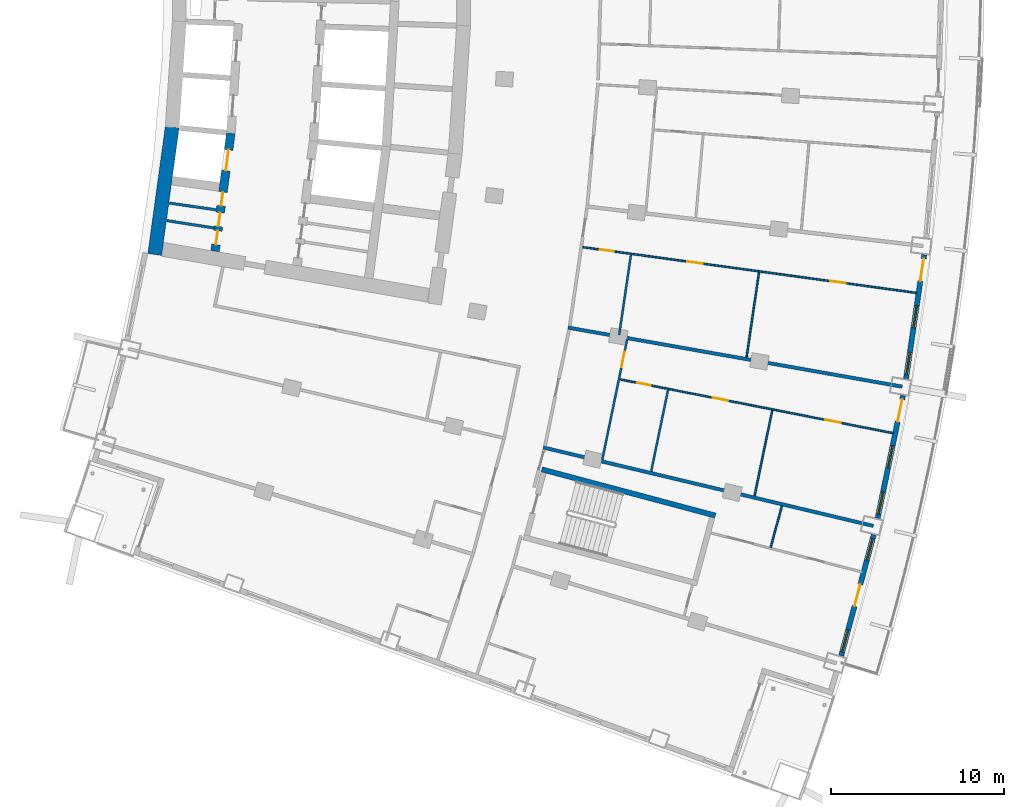
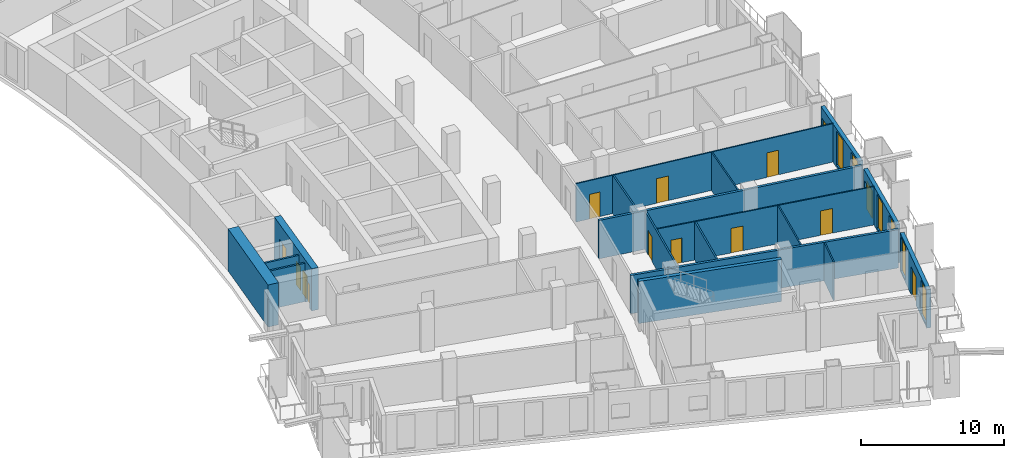
# One storey, part 15 of 25: 18 walls, 14 doors, 6 windows, 20 openings.
"""IFC4 building model written with IfcOpenShell, lengths in metres."""

from ifc_helpers import new_model, si_unit, direction, frame, frame_2d, origin, place, context, subcontext, project, spatial, rectangle, extrude, material, layer, layer_set, type_object, element, fill, save


model = new_model("IFC4")

# Units and contexts
model_context = context("Model", 3, precision=1e-05, world=origin(), true_north=direction((0.0, 1.0)))
body_context = subcontext(model_context, "Body", "Model", "MODEL_VIEW")
ifc_project = project(units=[si_unit("LENGTHUNIT", "METRE"), si_unit("AREAUNIT", "SQUARE_METRE"), si_unit("VOLUMEUNIT", "CUBIC_METRE"), si_unit("PLANEANGLEUNIT", "RADIAN"), si_unit("MASSUNIT", "GRAM", prefix="KILO")], contexts=[model_context])

# Site, building, storey
site_placement = place(None, origin())
site = spatial("IfcSite", under=ifc_project, at=site_placement, CompositionType="ELEMENT")
building_placement = place(site_placement, origin())
building = spatial("IfcBuilding", under=site, at=building_placement, Name="Alderwake Tower", CompositionType="ELEMENT")
storey_placement = place(building_placement, frame((0.0, 0.0, 122.0)))
storey = spatial("IfcBuildingStorey", under=building, at=storey_placement, Name="L30", CompositionType="ELEMENT", Elevation=122.0)

# Walls
ifc_material_1 = material(Name="Gypsum shaft wall system, rated")
ifc_layer_1 = layer(ifc_material_1, 0.14990234375)
ifc_layer_set_1 = layer_set([ifc_layer_1], Name="Core room partition 150")
wall_type_1 = type_object("IfcWallType", Name="Core room partition 150", PredefinedType="PARTITIONING", material=ifc_layer_set_1)
wall_1_placement = place(storey_placement, frame((16.122802734375, 46.082763671875, 0.0), z_axis=(0.0, 0.0, 1.0), x_axis=(0.988174136122, -0.153335829796, 0.0)))
element("IfcWall", 1, at=wall_1_placement, inside=storey, type_object=wall_type_1, Name="CW/L30/PR-161_+0", PredefinedType="PARTITIONING", context=body_context, shape_type="SweptSolid", body=[
    extrude(rectangle(XDim=2.740234375, YDim=0.14990234375, at=frame_2d((1.3701171875, 0.0))), origin(), (0.0, 0.0, 1.0), 3.280029296875),
])
wall_2_placement = place(storey_placement, frame((16.262451171875, 47.096435546875, 0.0), z_axis=(0.0, 0.0, 1.0), x_axis=(0.989725129284, -0.14298310552, 0.0)))
element("IfcWall", 2, at=wall_2_placement, inside=storey, type_object=wall_type_1, Name="CW/L30/PR-150_+0", PredefinedType="PARTITIONING", context=body_context, shape_type="SweptSolid", body=[
    extrude(rectangle(XDim=2.7353515625, YDim=0.14990234375, at=frame_2d((1.36767578125, 0.0))), origin(), (0.0, 0.0, 1.0), 3.280029296875),
])
ifc_material_2 = material(Name="Concrete C70/85", Category="concrete")
ifc_layer_2 = layer(ifc_material_2, 0.800048828125)
ifc_layer_set_2 = layer_set([ifc_layer_2], Name="Core wall outer 800 C70-85")
wall_type_2 = type_object("IfcWallType", Name="Core wall outer 800 C70-85", PredefinedType="SHEAR", material=ifc_layer_set_2)
wall_3_placement = place(storey_placement, frame((15.419921875, 44.12890625, 0.0), z_axis=(0.0, 0.0, 1.0), x_axis=(0.13634256868, 0.990661750531, 0.0)))
element("IfcWall", 3, at=wall_3_placement, inside=storey, type_object=wall_type_2, Name="Core wall CW.042", PredefinedType="SHEAR", context=body_context, shape_type="SweptSolid", body=[
    extrude(rectangle(XDim=7.42578125, YDim=0.800048828125, at=frame_2d((3.712890625, 0.0))), origin(), (0.0, 0.0, 1.0), 3.60009765625),
])

# Wall, openings, doors
ifc_material_3 = material(Name="Concrete C70/85", Category="concrete")
ifc_layer_3 = layer(ifc_material_3, 0.5)
ifc_layer_set_3 = layer_set([ifc_layer_3], Name="Core wall spine 500 C70-85")
wall_type_3 = type_object("IfcWallType", Name="Core wall spine 500 C70-85", PredefinedType="SHEAR", material=ifc_layer_set_3)
wall_4_placement = place(storey_placement, frame((19.81494140625, 51.145263671875, 0.0), z_axis=(0.0, 0.0, 1.0), x_axis=(-0.132349652161, -0.991203091991, 0.0)))
wall_4 = element("IfcWall", 4, at=wall_4_placement, inside=storey, type_object=wall_type_3, Name="Core wall CW.033", PredefinedType="SHEAR", context=body_context, shape_type="SweptSolid", body=[
    extrude(rectangle(XDim=6.880615234375, YDim=0.5, at=frame_2d((3.4404296875, 0.0))), origin(), (0.0, 0.0, 1.0), 3.60009765625),
])
opening_1_placement = place(wall_4_placement, frame((0.99072265625, 0.0, 0.0)))
opening_1 = element("IfcOpeningElement", 5, at=opening_1_placement, cuts=wall_4, Name="Opening LD-LP1", PredefinedType="OPENING", context=body_context, shape_type="SweptSolid", body=[
    extrude(rectangle(XDim=1.199951171875, YDim=2.300048828125, at=frame_2d((0.60009765625, 1.14990234375))), frame((0.0, 0.260009765625, 0.0), z_axis=(0.0, -1.0, 0.0), x_axis=(1.0, 0.0, 0.0)), (0.0, 0.0, 1.0), 0.52001953125),
])
opening_2_placement = place(wall_4_placement, frame((5.698486328125, 0.0, 0.0)))
opening_2 = element("IfcOpeningElement", 6, at=opening_2_placement, cuts=wall_4, Name="Opening C009", PredefinedType="OPENING", context=body_context, shape_type="SweptSolid", body=[
    extrude(rectangle(XDim=0.800048828125, YDim=2.0, at=frame_2d((0.39990234375, 1.0))), frame((0.0, 0.260009765625, 0.0), z_axis=(0.0, -1.0, 0.0), x_axis=(1.0, 0.0, 0.0)), (0.0, 0.0, 1.0), 0.52001953125),
])
opening_3_placement = place(wall_4_placement, frame((4.6435546875, 0.0, 0.0)))
opening_3 = element("IfcOpeningElement", 7, at=opening_3_placement, cuts=wall_4, Name="Opening C011", PredefinedType="OPENING", context=body_context, shape_type="SweptSolid", body=[
    extrude(rectangle(XDim=0.800048828125, YDim=2.0, at=frame_2d((0.39990234375, 1.0))), frame((0.0, 0.260009765625, 0.0), z_axis=(0.0, -1.0, 0.0), x_axis=(1.0, 0.0, 0.0)), (0.0, 0.0, 1.0), 0.52001953125),
])
opening_4_placement = place(wall_4_placement, frame((3.444580078125, 0.0, 0.0)))
opening_4 = element("IfcOpeningElement", 8, at=opening_4_placement, cuts=wall_4, Name="Opening C012", PredefinedType="OPENING", context=body_context, shape_type="SweptSolid", body=[
    extrude(rectangle(XDim=0.800048828125, YDim=2.0, at=frame_2d((0.39990234375, 1.0))), frame((0.0, 0.260009765625, 0.0), z_axis=(0.0, -1.0, 0.0), x_axis=(1.0, 0.0, 0.0)), (0.0, 0.0, 1.0), 0.52001953125),
])
ifc_material_4 = material(Name="Stainless steel sliding leaf", Category="steel")
door_type_1 = type_object("IfcDoorType", Name="Lift landing door 1200", OperationType="SLIDING_TO_LEFT", PredefinedType="DOOR", material=ifc_material_4)
door_1_placement = place(opening_1_placement, origin())
door_1 = element("IfcDoor", 9, at=door_1_placement, inside=storey, type_object=door_type_1, Name="Lift landing door LP1", OperationType="SLIDING_TO_LEFT", OverallHeight=2.300048828125, OverallWidth=1.199951171875, PredefinedType="DOOR", context=body_context, shape_type="SweptSolid", body=[
    extrude(rectangle(XDim=1.199951171875, YDim=2.300048828125, at=frame_2d((0.60009765625, 1.14990234375))), frame((0.0, 0.02490234375, 0.0), z_axis=(0.0, -1.0, 0.0), x_axis=(1.0, 0.0, 0.0)), (0.0, 0.0, 1.0), 0.050048828125),
])
fill(opening_1, door_1)
ifc_material_5 = material(Name="Painted steel leaf, rated", Category="steel")
door_type_2 = type_object("IfcDoorType", Name="Riser access door 800", OperationType="SINGLE_SWING_LEFT", PredefinedType="DOOR", material=ifc_material_5)
door_2_placement = place(opening_2_placement, origin())
door_2 = element("IfcDoor", 10, at=door_2_placement, inside=storey, type_object=door_type_2, Name="Riser access door", OperationType="SINGLE_SWING_LEFT", OverallHeight=2.0, OverallWidth=0.800048828125, PredefinedType="DOOR", context=body_context, shape_type="SweptSolid", body=[
    extrude(rectangle(XDim=0.800048828125, YDim=2.0, at=frame_2d((0.39990234375, 1.0))), frame((0.0, 0.02490234375, 0.0), z_axis=(0.0, -1.0, 0.0), x_axis=(1.0, 0.0, 0.0)), (0.0, 0.0, 1.0), 0.050048828125),
])
fill(opening_2, door_2)
door_3_placement = place(opening_3_placement, origin())
door_3 = element("IfcDoor", 11, at=door_3_placement, inside=storey, type_object=door_type_2, Name="Riser access door", OperationType="SINGLE_SWING_RIGHT", OverallHeight=2.0, OverallWidth=0.800048828125, PredefinedType="DOOR", context=body_context, shape_type="SweptSolid", body=[
    extrude(rectangle(XDim=0.800048828125, YDim=2.0, at=frame_2d((0.39990234375, 1.0))), frame((0.0, 0.02490234375, 0.0), z_axis=(0.0, -1.0, 0.0), x_axis=(1.0, 0.0, 0.0)), (0.0, 0.0, 1.0), 0.050048828125),
])
fill(opening_3, door_3)
door_4_placement = place(opening_4_placement, origin())
door_4 = element("IfcDoor", 12, at=door_4_placement, inside=storey, type_object=door_type_2, Name="Riser access door", OperationType="SINGLE_SWING_LEFT", OverallHeight=2.0, OverallWidth=0.800048828125, PredefinedType="DOOR", context=body_context, shape_type="SweptSolid", body=[
    extrude(rectangle(XDim=0.800048828125, YDim=2.0, at=frame_2d((0.39990234375, 1.0))), frame((0.0, 0.02490234375, 0.0), z_axis=(0.0, -1.0, 0.0), x_axis=(1.0, 0.0, 0.0)), (0.0, 0.0, 1.0), 0.050048828125),
])
fill(opening_4, door_4)

# Wall
ifc_material_6 = material(Name="Concrete C70/85", Category="concrete")
ifc_layer_4 = layer(ifc_material_6, 0.300048828125)
ifc_layer_set_4 = layer_set([ifc_layer_4], Name="Core wall stair enclosure 300 C70-85")
wall_type_4 = type_object("IfcWallType", Name="Core wall stair enclosure 300 C70-85", PredefinedType="SHEAR", material=ifc_layer_set_4)
wall_5_placement = place(storey_placement, frame((37.75390625, 31.731201171875, 0.0), z_axis=(0.0, 0.0, 1.0), x_axis=(0.966309214305, -0.257383958996, 0.0)))
element("IfcWall", 13, at=wall_5_placement, inside=storey, type_object=wall_type_4, Name="Core wall CW.086", PredefinedType="SHEAR", context=body_context, shape_type="SweptSolid", body=[
    extrude(rectangle(XDim=10.360107421875, YDim=0.300048828125, at=frame_2d((5.18017578125, 0.0))), origin(), (0.0, 0.0, 1.0), 3.60009765625),
])

# Wall, openings, door, windows
ifc_material_7 = material(Name="Precast concrete C50/60 spandrel panel", Category="concrete")
ifc_layer_5 = layer(ifc_material_7, 0.300048828125)
ifc_layer_set_5 = layer_set([ifc_layer_5], Name="External wall EW1 Precast concrete C50/60 spandrel")
wall_type_5 = type_object("IfcWallType", Name="External wall EW1 Precast concrete C50/60 spandrel", PredefinedType="SOLIDWALL", material=ifc_layer_set_5)
wall_6_placement = place(storey_placement, frame((55.03076171875, 20.98046875, 0.0), z_axis=(0.0, 0.0, 1.0), x_axis=(0.259514900315, 0.965739103751, 0.0)))
wall_6 = element("IfcWall", 14, at=wall_6_placement, inside=storey, type_object=wall_type_5, Name="External wall 12", PredefinedType="SOLIDWALL", context=body_context, shape_type="SweptSolid", body=[
    extrude(rectangle(XDim=7.217529296875, YDim=0.300048828125, at=frame_2d((3.60888671875, 0.0))), origin(), (0.0, 0.0, 1.0), 3.280029296875),
])
opening_5_placement = place(wall_6_placement, frame((0.22509765625, 0.0, 0.199951171875)))
opening_5 = element("IfcOpeningElement", 15, at=opening_5_placement, cuts=wall_6, Name="Opening W1", PredefinedType="OPENING", context=body_context, shape_type="SweptSolid", body=[
    extrude(rectangle(XDim=1.300048828125, YDim=2.89990234375, at=frame_2d((0.64990234375, 1.449951171875))), frame((0.0, 0.159912109375, 0.0), z_axis=(0.0, -1.0, 0.0), x_axis=(1.0, 0.0, 0.0)), (0.0, 0.0, 1.0), 0.320068359375),
])
opening_6_placement = place(wall_6_placement, frame((2.958740234375, 0.0, 0.0)))
opening_6 = element("IfcOpeningElement", 16, at=opening_6_placement, cuts=wall_6, Name="Opening D03", PredefinedType="OPENING", context=body_context, shape_type="SweptSolid", body=[
    extrude(rectangle(XDim=1.300048828125, YDim=2.39990234375, at=frame_2d((0.64990234375, 1.199951171875))), frame((0.0, 0.159912109375, 0.0), z_axis=(0.0, -1.0, 0.0), x_axis=(1.0, 0.0, 0.0)), (0.0, 0.0, 1.0), 0.320068359375),
])
opening_7_placement = place(wall_6_placement, frame((5.692138671875, 0.0, 0.199951171875)))
opening_7 = element("IfcOpeningElement", 17, at=opening_7_placement, cuts=wall_6, Name="Opening W1", PredefinedType="OPENING", context=body_context, shape_type="SweptSolid", body=[
    extrude(rectangle(XDim=1.300048828125, YDim=2.89990234375, at=frame_2d((0.64990234375, 1.449951171875))), frame((0.0, 0.159912109375, 0.0), z_axis=(0.0, -1.0, 0.0), x_axis=(1.0, 0.0, 0.0)), (0.0, 0.0, 1.0), 0.320068359375),
])
ifc_material_8 = material(Name="Bronze tinted glass in aluminium frame", Category="aluminium")
door_type_3 = type_object("IfcDoorType", Name="Balcony door BD sliding", OperationType="SLIDING_TO_LEFT", PredefinedType="DOOR", material=ifc_material_8)
door_5_placement = place(opening_6_placement, origin())
door_5 = element("IfcDoor", 18, at=door_5_placement, inside=storey, type_object=door_type_3, Name="Door D03", OperationType="SLIDING_TO_LEFT", OverallHeight=2.39990234375, OverallWidth=1.300048828125, PredefinedType="DOOR", context=body_context, shape_type="SweptSolid", body=[
    extrude(rectangle(XDim=1.300048828125, YDim=2.39990234375, at=frame_2d((0.64990234375, 1.199951171875))), frame((0.0, 0.02490234375, 0.0), z_axis=(0.0, -1.0, 0.0), x_axis=(1.0, 0.0, 0.0)), (0.0, 0.0, 1.0), 0.050048828125),
])
fill(opening_6, door_5)
ifc_material_9 = material(Name="Bronze tinted glass in aluminium frame", Category="aluminium")
window_type = type_object("IfcWindowType", Name="Window W1 tall fixed and vent", PartitioningType="DOUBLE_PANEL_VERTICAL", PredefinedType="WINDOW", material=ifc_material_9)
window_1_placement = place(opening_5_placement, origin())
window_1 = element("IfcWindow", 19, at=window_1_placement, inside=storey, type_object=window_type, Name="Window W1 tall fixed and vent", OverallHeight=2.89990234375, OverallWidth=1.300048828125, PartitioningType="DOUBLE_PANEL_VERTICAL", PredefinedType="WINDOW", context=body_context, shape_type="SweptSolid", body=[
    extrude(rectangle(XDim=1.300048828125, YDim=2.89990234375, at=frame_2d((0.64990234375, 1.449951171875))), frame((0.0, 0.030029296875, 0.0), z_axis=(0.0, -1.0, 0.0), x_axis=(1.0, 0.0, 0.0)), (0.0, 0.0, 1.0), 0.06005859375),
])
fill(opening_5, window_1)
window_2_placement = place(opening_7_placement, origin())
window_2 = element("IfcWindow", 20, at=window_2_placement, inside=storey, type_object=window_type, Name="Window W1 tall fixed and vent", OverallHeight=2.89990234375, OverallWidth=1.300048828125, PartitioningType="DOUBLE_PANEL_VERTICAL", PredefinedType="WINDOW", context=body_context, shape_type="SweptSolid", body=[
    extrude(rectangle(XDim=1.300048828125, YDim=2.89990234375, at=frame_2d((0.64990234375, 1.449951171875))), frame((0.0, 0.030029296875, 0.0), z_axis=(0.0, -1.0, 0.0), x_axis=(1.0, 0.0, 0.0)), (0.0, 0.0, 1.0), 0.06005859375),
])
fill(opening_7, window_2)

wall_7_placement = place(storey_placement, frame((57.13427734375, 28.9208984375, 0.0), z_axis=(0.0, 0.0, 1.0), x_axis=(0.202759964429, 0.979228470187, 0.0)))
wall_7 = element("IfcWall", 21, at=wall_7_placement, inside=storey, type_object=wall_type_5, Name="External wall 13", PredefinedType="SOLIDWALL", context=body_context, shape_type="SweptSolid", body=[
    extrude(rectangle(XDim=7.21728515625, YDim=0.300048828125, at=frame_2d((3.608642578125, 0.0))), origin(), (0.0, 0.0, 1.0), 3.280029296875),
])
opening_8_placement = place(wall_7_placement, frame((0.22509765625, 0.0, 0.199951171875)))
opening_8 = element("IfcOpeningElement", 22, at=opening_8_placement, cuts=wall_7, Name="Opening W1", PredefinedType="OPENING", context=body_context, shape_type="SweptSolid", body=[
    extrude(rectangle(XDim=1.300048828125, YDim=2.89990234375, at=frame_2d((0.64990234375, 1.449951171875))), frame((0.0, 0.159912109375, 0.0), z_axis=(0.0, -1.0, 0.0), x_axis=(1.0, 0.0, 0.0)), (0.0, 0.0, 1.0), 0.320068359375),
])
opening_9_placement = place(wall_7_placement, frame((2.958740234375, 0.0, 0.199951171875)))
opening_9 = element("IfcOpeningElement", 23, at=opening_9_placement, cuts=wall_7, Name="Opening W1", PredefinedType="OPENING", context=body_context, shape_type="SweptSolid", body=[
    extrude(rectangle(XDim=1.300048828125, YDim=2.89990234375, at=frame_2d((0.64990234375, 1.449951171875))), frame((0.0, 0.159912109375, 0.0), z_axis=(0.0, -1.0, 0.0), x_axis=(1.0, 0.0, 0.0)), (0.0, 0.0, 1.0), 0.320068359375),
])
opening_10_placement = place(wall_7_placement, frame((5.692138671875, 0.0, 0.0)))
opening_10 = element("IfcOpeningElement", 24, at=opening_10_placement, cuts=wall_7, Name="Opening D04", PredefinedType="OPENING", context=body_context, shape_type="SweptSolid", body=[
    extrude(rectangle(XDim=1.300048828125, YDim=2.39990234375, at=frame_2d((0.64990234375, 1.199951171875))), frame((0.0, 0.159912109375, 0.0), z_axis=(0.0, -1.0, 0.0), x_axis=(1.0, 0.0, 0.0)), (0.0, 0.0, 1.0), 0.320068359375),
])
door_6_placement = place(opening_10_placement, origin())
door_6 = element("IfcDoor", 25, at=door_6_placement, inside=storey, type_object=door_type_3, Name="Door D04", OperationType="SLIDING_TO_LEFT", OverallHeight=2.39990234375, OverallWidth=1.300048828125, PredefinedType="DOOR", context=body_context, shape_type="SweptSolid", body=[
    extrude(rectangle(XDim=1.300048828125, YDim=2.39990234375, at=frame_2d((0.64990234375, 1.199951171875))), frame((0.0, 0.02490234375, 0.0), z_axis=(0.0, -1.0, 0.0), x_axis=(1.0, 0.0, 0.0)), (0.0, 0.0, 1.0), 0.050048828125),
])
fill(opening_10, door_6)
window_3_placement = place(opening_8_placement, origin())
window_3 = element("IfcWindow", 26, at=window_3_placement, inside=storey, type_object=window_type, Name="Window W1 tall fixed and vent", OverallHeight=2.89990234375, OverallWidth=1.300048828125, PartitioningType="DOUBLE_PANEL_VERTICAL", PredefinedType="WINDOW", context=body_context, shape_type="SweptSolid", body=[
    extrude(rectangle(XDim=1.300048828125, YDim=2.89990234375, at=frame_2d((0.64990234375, 1.449951171875))), frame((0.0, 0.030029296875, 0.0), z_axis=(0.0, -1.0, 0.0), x_axis=(1.0, 0.0, 0.0)), (0.0, 0.0, 1.0), 0.06005859375),
])
fill(opening_8, window_3)
window_4_placement = place(opening_9_placement, origin())
window_4 = element("IfcWindow", 27, at=window_4_placement, inside=storey, type_object=window_type, Name="Window W1 tall fixed and vent", OverallHeight=2.89990234375, OverallWidth=1.300048828125, PartitioningType="DOUBLE_PANEL_VERTICAL", PredefinedType="WINDOW", context=body_context, shape_type="SweptSolid", body=[
    extrude(rectangle(XDim=1.300048828125, YDim=2.89990234375, at=frame_2d((0.64990234375, 1.449951171875))), frame((0.0, 0.030029296875, 0.0), z_axis=(0.0, -1.0, 0.0), x_axis=(1.0, 0.0, 0.0)), (0.0, 0.0, 1.0), 0.06005859375),
])
fill(opening_9, window_4)

wall_8_placement = place(storey_placement, frame((58.771240234375, 36.970458984375, 0.0), z_axis=(0.0, 0.0, 1.0), x_axis=(0.145322588421, 0.989384326384, 0.0)))
wall_8 = element("IfcWall", 28, at=wall_8_placement, inside=storey, type_object=wall_type_5, Name="External wall 14", PredefinedType="SOLIDWALL", context=body_context, shape_type="SweptSolid", body=[
    extrude(rectangle(XDim=7.21728515625, YDim=0.300048828125, at=frame_2d((3.608642578125, 0.0))), origin(), (0.0, 0.0, 1.0), 3.280029296875),
])
opening_11_placement = place(wall_8_placement, frame((0.22509765625, 0.0, 0.199951171875)))
opening_11 = element("IfcOpeningElement", 29, at=opening_11_placement, cuts=wall_8, Name="Opening W1", PredefinedType="OPENING", context=body_context, shape_type="SweptSolid", body=[
    extrude(rectangle(XDim=1.300048828125, YDim=2.89990234375, at=frame_2d((0.64990234375, 1.449951171875))), frame((0.0, 0.159912109375, 0.0), z_axis=(0.0, -1.0, 0.0), x_axis=(1.0, 0.0, 0.0)), (0.0, 0.0, 1.0), 0.320068359375),
])
opening_12_placement = place(wall_8_placement, frame((2.958740234375, 0.0, 0.199951171875)))
opening_12 = element("IfcOpeningElement", 30, at=opening_12_placement, cuts=wall_8, Name="Opening W1", PredefinedType="OPENING", context=body_context, shape_type="SweptSolid", body=[
    extrude(rectangle(XDim=1.300048828125, YDim=2.89990234375, at=frame_2d((0.64990234375, 1.449951171875))), frame((0.0, 0.159912109375, 0.0), z_axis=(0.0, -1.0, 0.0), x_axis=(1.0, 0.0, 0.0)), (0.0, 0.0, 1.0), 0.320068359375),
])
opening_13_placement = place(wall_8_placement, frame((5.692138671875, 0.0, 0.0)))
opening_13 = element("IfcOpeningElement", 31, at=opening_13_placement, cuts=wall_8, Name="Opening D05", PredefinedType="OPENING", context=body_context, shape_type="SweptSolid", body=[
    extrude(rectangle(XDim=1.300048828125, YDim=2.39990234375, at=frame_2d((0.64990234375, 1.199951171875))), frame((0.0, 0.159912109375, 0.0), z_axis=(0.0, -1.0, 0.0), x_axis=(1.0, 0.0, 0.0)), (0.0, 0.0, 1.0), 0.320068359375),
])
door_7_placement = place(opening_13_placement, origin())
door_7 = element("IfcDoor", 32, at=door_7_placement, inside=storey, type_object=door_type_3, Name="Door D05", OperationType="SLIDING_TO_LEFT", OverallHeight=2.39990234375, OverallWidth=1.300048828125, PredefinedType="DOOR", context=body_context, shape_type="SweptSolid", body=[
    extrude(rectangle(XDim=1.300048828125, YDim=2.39990234375, at=frame_2d((0.64990234375, 1.199951171875))), frame((0.0, 0.02490234375, 0.0), z_axis=(0.0, -1.0, 0.0), x_axis=(1.0, 0.0, 0.0)), (0.0, 0.0, 1.0), 0.050048828125),
])
fill(opening_13, door_7)
window_5_placement = place(opening_11_placement, origin())
window_5 = element("IfcWindow", 33, at=window_5_placement, inside=storey, type_object=window_type, Name="Window W1 tall fixed and vent", OverallHeight=2.89990234375, OverallWidth=1.300048828125, PartitioningType="DOUBLE_PANEL_VERTICAL", PredefinedType="WINDOW", context=body_context, shape_type="SweptSolid", body=[
    extrude(rectangle(XDim=1.300048828125, YDim=2.89990234375, at=frame_2d((0.64990234375, 1.449951171875))), frame((0.0, 0.030029296875, 0.0), z_axis=(0.0, -1.0, 0.0), x_axis=(1.0, 0.0, 0.0)), (0.0, 0.0, 1.0), 0.06005859375),
])
fill(opening_11, window_5)
window_6_placement = place(opening_12_placement, origin())
window_6 = element("IfcWindow", 34, at=window_6_placement, inside=storey, type_object=window_type, Name="Window W1 tall fixed and vent", OverallHeight=2.89990234375, OverallWidth=1.300048828125, PartitioningType="DOUBLE_PANEL_VERTICAL", PredefinedType="WINDOW", context=body_context, shape_type="SweptSolid", body=[
    extrude(rectangle(XDim=1.300048828125, YDim=2.89990234375, at=frame_2d((0.64990234375, 1.449951171875))), frame((0.0, 0.030029296875, 0.0), z_axis=(0.0, -1.0, 0.0), x_axis=(1.0, 0.0, 0.0)), (0.0, 0.0, 1.0), 0.06005859375),
])
fill(opening_12, window_6)

# Walls
ifc_material_10 = material(Name="Dense block masonry wall", Category="masonry")
ifc_layer_6 = layer(ifc_material_10, 0.199951171875)
ifc_layer_set_6 = layer_set([ifc_layer_6], Name="Party wall 200")
wall_type_6 = type_object("IfcWallType", Name="Party wall 200", PredefinedType="SOLIDWALL", material=ifc_layer_set_6)
wall_9_placement = place(storey_placement, frame((37.839111328125, 32.994384765625, 0.0), z_axis=(0.0, 0.0, 1.0), x_axis=(0.97289391961, -0.23125185661, 0.0)))
element("IfcWall", 35, at=wall_9_placement, inside=storey, type_object=wall_type_6, Name="WL/L30/W06", PredefinedType="SOLIDWALL", context=body_context, shape_type="SweptSolid", body=[
    extrude(rectangle(XDim=19.57763671875, YDim=0.199951171875, at=frame_2d((9.788818359375, 0.0))), origin(), (0.0, 0.0, 1.0), 3.280029296875),
])
wall_10_placement = place(storey_placement, frame((58.551025390625, 36.50390625, 0.0), z_axis=(0.0, 0.0, 1.0), x_axis=(-0.98474575315, 0.173999430034, 0.0)))
element("IfcWall", 36, at=wall_10_placement, inside=storey, type_object=wall_type_6, Name="WL/L30/W10", PredefinedType="SOLIDWALL", context=body_context, shape_type="SweptSolid", body=[
    extrude(rectangle(XDim=19.580322265625, YDim=0.199951171875, at=frame_2d((9.7900390625, 0.0))), origin(), (0.0, 0.0, 1.0), 3.280029296875),
])

# Wall, openings, doors
ifc_material_11 = material(Name="Gypsum board on metal studs")
ifc_layer_7 = layer(ifc_material_11, 0.10009765625)
ifc_layer_set_7 = layer_set([ifc_layer_7], Name="Unit partition 100")
wall_type_7 = type_object("IfcWallType", Name="Unit partition 100", PredefinedType="PARTITIONING", material=ifc_layer_set_7)
wall_11_placement = place(storey_placement, frame((59.39404296875, 41.909912109375, 0.0), z_axis=(0.0, 0.0, 1.0), x_axis=(-0.990747071899, 0.135721183029, 0.0)))
wall_11 = element("IfcWall", 37, at=wall_11_placement, inside=storey, type_object=wall_type_7, Name="WL/L30/W69", PredefinedType="PARTITIONING", context=body_context, shape_type="SweptSolid", body=[
    extrude(rectangle(XDim=19.4599609375, YDim=0.10009765625, at=frame_2d((9.72998046875, 0.0))), origin(), (0.0, 0.0, 1.0), 3.280029296875),
])
opening_14_placement = place(wall_11_placement, frame((12.46240234375, 0.0, 0.0)))
opening_14 = element("IfcOpeningElement", 38, at=opening_14_placement, cuts=wall_11, Name="Opening R08-U06.1", PredefinedType="OPENING", context=body_context, shape_type="SweptSolid", body=[
    extrude(rectangle(XDim=0.89990234375, YDim=2.10009765625, at=frame_2d((0.449951171875, 1.050048828125))), frame((0.0, 0.06005859375, 0.0), z_axis=(0.0, -1.0, 0.0), x_axis=(1.0, 0.0, 0.0)), (0.0, 0.0, 1.0), 0.1201171875),
])
opening_15_placement = place(wall_11_placement, frame((17.65087890625, 0.0, 0.0)))
opening_15 = element("IfcOpeningElement", 39, at=opening_15_placement, cuts=wall_11, Name="Opening R08-U06.3", PredefinedType="OPENING", context=body_context, shape_type="SweptSolid", body=[
    extrude(rectangle(XDim=0.800048828125, YDim=2.10009765625, at=frame_2d((0.39990234375, 1.050048828125))), frame((0.0, 0.06005859375, 0.0), z_axis=(0.0, -1.0, 0.0), x_axis=(1.0, 0.0, 0.0)), (0.0, 0.0, 1.0), 0.1201171875),
])
opening_16_placement = place(wall_11_placement, frame((4.141357421875, 0.0, 0.0)))
opening_16 = element("IfcOpeningElement", 40, at=opening_16_placement, cuts=wall_11, Name="Opening R08-U06.4", PredefinedType="OPENING", context=body_context, shape_type="SweptSolid", body=[
    extrude(rectangle(XDim=0.89990234375, YDim=2.10009765625, at=frame_2d((0.449951171875, 1.050048828125))), frame((0.0, 0.06005859375, 0.0), z_axis=(0.0, -1.0, 0.0), x_axis=(1.0, 0.0, 0.0)), (0.0, 0.0, 1.0), 0.1201171875),
])
ifc_material_12 = material(Name="Painted timber leaf", Category="wood")
door_type_4 = type_object("IfcDoorType", Name="Bathroom door 800", OperationType="SINGLE_SWING_LEFT", PredefinedType="DOOR", material=ifc_material_12)
door_8_placement = place(opening_15_placement, origin())
door_8 = element("IfcDoor", 41, at=door_8_placement, inside=storey, type_object=door_type_4, Name="DR/L30/U06.3", OperationType="SINGLE_SWING_LEFT", OverallHeight=2.10009765625, OverallWidth=0.800048828125, PredefinedType="DOOR", context=body_context, shape_type="SweptSolid", body=[
    extrude(rectangle(XDim=0.800048828125, YDim=2.10009765625, at=frame_2d((0.39990234375, 1.050048828125))), frame((0.0, 0.02490234375, 0.0), z_axis=(0.0, -1.0, 0.0), x_axis=(1.0, 0.0, 0.0)), (0.0, 0.0, 1.0), 0.050048828125),
])
fill(opening_15, door_8)
ifc_material_13 = material(Name="Painted timber leaf", Category="wood")
door_type_5 = type_object("IfcDoorType", Name="Room door 900", OperationType="SINGLE_SWING_LEFT", PredefinedType="DOOR", material=ifc_material_13)
door_9_placement = place(opening_14_placement, origin())
door_9 = element("IfcDoor", 42, at=door_9_placement, inside=storey, type_object=door_type_5, Name="DR/L30/U06.1", OperationType="SINGLE_SWING_LEFT", OverallHeight=2.10009765625, OverallWidth=0.89990234375, PredefinedType="DOOR", context=body_context, shape_type="SweptSolid", body=[
    extrude(rectangle(XDim=0.89990234375, YDim=2.10009765625, at=frame_2d((0.449951171875, 1.050048828125))), frame((0.0, 0.02490234375, 0.0), z_axis=(0.0, -1.0, 0.0), x_axis=(1.0, 0.0, 0.0)), (0.0, 0.0, 1.0), 0.050048828125),
])
fill(opening_14, door_9)
door_10_placement = place(opening_16_placement, origin())
door_10 = element("IfcDoor", 43, at=door_10_placement, inside=storey, type_object=door_type_5, Name="DR/L30/U06.4", OperationType="SINGLE_SWING_LEFT", OverallHeight=2.10009765625, OverallWidth=0.89990234375, PredefinedType="DOOR", context=body_context, shape_type="SweptSolid", body=[
    extrude(rectangle(XDim=0.89990234375, YDim=2.10009765625, at=frame_2d((0.449951171875, 1.050048828125))), frame((0.0, 0.02490234375, 0.0), z_axis=(0.0, -1.0, 0.0), x_axis=(1.0, 0.0, 0.0)), (0.0, 0.0, 1.0), 0.050048828125),
])
fill(opening_16, door_10)

wall_12_placement = place(storey_placement, frame((58.0439453125, 33.81591796875, 0.0), z_axis=(0.0, 0.0, 1.0), x_axis=(-0.981175785538, 0.193116746747, 0.0)))
wall_12 = element("IfcWall", 44, at=wall_12_placement, inside=storey, type_object=wall_type_7, Name="WL/L30/W74", PredefinedType="PARTITIONING", context=body_context, shape_type="SweptSolid", body=[
    extrude(rectangle(XDim=16.080810546875, YDim=0.10009765625, at=frame_2d((8.04052734375, 0.0))), origin(), (0.0, 0.0, 1.0), 3.280029296875),
])
opening_17_placement = place(wall_12_placement, frame((9.72900390625, 0.0, 0.0)))
opening_17 = element("IfcOpeningElement", 45, at=opening_17_placement, cuts=wall_12, Name="Opening R08-U05.1", PredefinedType="OPENING", context=body_context, shape_type="SweptSolid", body=[
    extrude(rectangle(XDim=0.89990234375, YDim=2.10009765625, at=frame_2d((0.449951171875, 1.050048828125))), frame((0.0, 0.06005859375, 0.0), z_axis=(0.0, -1.0, 0.0), x_axis=(1.0, 0.0, 0.0)), (0.0, 0.0, 1.0), 0.1201171875),
])
opening_18_placement = place(wall_12_placement, frame((14.26220703125, 0.0, 0.0)))
opening_18 = element("IfcOpeningElement", 46, at=opening_18_placement, cuts=wall_12, Name="Opening R08-U05.4", PredefinedType="OPENING", context=body_context, shape_type="SweptSolid", body=[
    extrude(rectangle(XDim=0.800048828125, YDim=2.10009765625, at=frame_2d((0.39990234375, 1.050048828125))), frame((0.0, 0.06005859375, 0.0), z_axis=(0.0, -1.0, 0.0), x_axis=(1.0, 0.0, 0.0)), (0.0, 0.0, 1.0), 0.1201171875),
])
opening_19_placement = place(wall_12_placement, frame((3.107421875, 0.0, 0.0)))
opening_19 = element("IfcOpeningElement", 47, at=opening_19_placement, cuts=wall_12, Name="Opening R08-U05.5", PredefinedType="OPENING", context=body_context, shape_type="SweptSolid", body=[
    extrude(rectangle(XDim=0.89990234375, YDim=2.10009765625, at=frame_2d((0.449951171875, 1.050048828125))), frame((0.0, 0.06005859375, 0.0), z_axis=(0.0, -1.0, 0.0), x_axis=(1.0, 0.0, 0.0)), (0.0, 0.0, 1.0), 0.1201171875),
])
door_11_placement = place(opening_18_placement, origin())
door_11 = element("IfcDoor", 48, at=door_11_placement, inside=storey, type_object=door_type_4, Name="DR/L30/U05.4", OperationType="SINGLE_SWING_LEFT", OverallHeight=2.10009765625, OverallWidth=0.800048828125, PredefinedType="DOOR", context=body_context, shape_type="SweptSolid", body=[
    extrude(rectangle(XDim=0.800048828125, YDim=2.10009765625, at=frame_2d((0.39990234375, 1.050048828125))), frame((0.0, 0.02490234375, 0.0), z_axis=(0.0, -1.0, 0.0), x_axis=(1.0, 0.0, 0.0)), (0.0, 0.0, 1.0), 0.050048828125),
])
fill(opening_18, door_11)
door_12_placement = place(opening_17_placement, origin())
door_12 = element("IfcDoor", 49, at=door_12_placement, inside=storey, type_object=door_type_5, Name="DR/L30/U05.1", OperationType="SINGLE_SWING_LEFT", OverallHeight=2.10009765625, OverallWidth=0.89990234375, PredefinedType="DOOR", context=body_context, shape_type="SweptSolid", body=[
    extrude(rectangle(XDim=0.89990234375, YDim=2.10009765625, at=frame_2d((0.449951171875, 1.050048828125))), frame((0.0, 0.02490234375, 0.0), z_axis=(0.0, -1.0, 0.0), x_axis=(1.0, 0.0, 0.0)), (0.0, 0.0, 1.0), 0.050048828125),
])
fill(opening_17, door_12)
door_13_placement = place(opening_19_placement, origin())
door_13 = element("IfcDoor", 50, at=door_13_placement, inside=storey, type_object=door_type_5, Name="DR/L30/U05.5", OperationType="SINGLE_SWING_LEFT", OverallHeight=2.10009765625, OverallWidth=0.89990234375, PredefinedType="DOOR", context=body_context, shape_type="SweptSolid", body=[
    extrude(rectangle(XDim=0.89990234375, YDim=2.10009765625, at=frame_2d((0.449951171875, 1.050048828125))), frame((0.0, 0.02490234375, 0.0), z_axis=(0.0, -1.0, 0.0), x_axis=(1.0, 0.0, 0.0)), (0.0, 0.0, 1.0), 0.050048828125),
])
fill(opening_19, door_13)

# Walls
wall_13_placement = place(storey_placement, frame((49.568603515625, 38.193115234375, 0.0), z_axis=(0.0, 0.0, 1.0), x_axis=(0.144869634363, 0.989450751195, 0.0)))
element("IfcWall", 51, at=wall_13_placement, inside=storey, type_object=wall_type_7, Name="WL/L30/W78", PredefinedType="PARTITIONING", context=body_context, shape_type="SweptSolid", body=[
    extrude(rectangle(XDim=4.96484375, YDim=0.10009765625, at=frame_2d((2.482421875, 0.0))), origin(), (0.0, 0.0, 1.0), 3.280029296875),
])
wall_14_placement = place(storey_placement, frame((50.0302734375, 30.199951171875, 0.0), z_axis=(0.0, 0.0, 1.0), x_axis=(0.202680800092, 0.979244858692, 0.0)))
element("IfcWall", 52, at=wall_14_placement, inside=storey, type_object=wall_type_7, Name="WL/L30/W80", PredefinedType="PARTITIONING", context=body_context, shape_type="SweptSolid", body=[
    extrude(rectangle(XDim=5.0458984375, YDim=0.10009765625, at=frame_2d((2.52294921875, 0.0))), origin(), (0.0, 0.0, 1.0), 3.280029296875),
])
wall_15_placement = place(storey_placement, frame((50.9619140625, 27.225341796875, 0.0), z_axis=(0.0, 0.0, 1.0), x_axis=(0.260249003849, 0.965541535096, 0.0)))
element("IfcWall", 53, at=wall_15_placement, inside=storey, type_object=wall_type_7, Name="WL/L30/W82", PredefinedType="PARTITIONING", context=body_context, shape_type="SweptSolid", body=[
    extrude(rectangle(XDim=2.478515625, YDim=0.10009765625, at=frame_2d((1.2392578125, 0.0))), origin(), (0.0, 0.0, 1.0), 3.280029296875),
])

# Wall, opening, door
ifc_material_14 = material(Name="Moisture resistant gypsum board on metal studs")
ifc_layer_8 = layer(ifc_material_14, 0.1201171875)
ifc_layer_set_8 = layer_set([ifc_layer_8], Name="Wet room partition 120")
wall_type_8 = type_object("IfcWallType", Name="Wet room partition 120", PredefinedType="PARTITIONING", material=ifc_layer_set_8)
wall_16_placement = place(storey_placement, frame((42.67578125, 39.2080078125, 0.0), z_axis=(0.0, 0.0, 1.0), x_axis=(-0.202695854643, -0.979241742631, 0.0)))
wall_16 = element("IfcWall", 54, at=wall_16_placement, inside=storey, type_object=wall_type_8, Name="WL/L30/W54", PredefinedType="PARTITIONING", context=body_context, shape_type="SweptSolid", body=[
    extrude(rectangle(XDim=7.066650390625, YDim=0.1201171875, at=frame_2d((3.533203125, 0.0))), origin(), (0.0, 0.0, 1.0), 3.280029296875),
])
opening_20_placement = place(wall_16_placement, frame((0.7109375, 0.0, 0.0)))
opening_20 = element("IfcOpeningElement", 55, at=opening_20_placement, cuts=wall_16, Name="Opening R08-U05.3", PredefinedType="OPENING", context=body_context, shape_type="SweptSolid", body=[
    extrude(rectangle(XDim=0.89990234375, YDim=2.10009765625, at=frame_2d((0.449951171875, 1.050048828125))), frame((0.0, 0.070068359375, 0.0), z_axis=(0.0, -1.0, 0.0), x_axis=(1.0, 0.0, 0.0)), (0.0, 0.0, 1.0), 0.14013671875),
])
door_14_placement = place(opening_20_placement, origin())
door_14 = element("IfcDoor", 56, at=door_14_placement, inside=storey, type_object=door_type_5, Name="DR/L30/U05.3", OperationType="SINGLE_SWING_LEFT", OverallHeight=2.10009765625, OverallWidth=0.89990234375, PredefinedType="DOOR", context=body_context, shape_type="SweptSolid", body=[
    extrude(rectangle(XDim=0.89990234375, YDim=2.10009765625, at=frame_2d((0.449951171875, 1.050048828125))), frame((0.0, 0.02490234375, 0.0), z_axis=(0.0, -1.0, 0.0), x_axis=(1.0, 0.0, 0.0)), (0.0, 0.0, 1.0), 0.050048828125),
])
fill(opening_20, door_14)

# Walls
wall_17_placement = place(storey_placement, frame((42.218505859375, 39.491943359375, 0.0), z_axis=(0.0, 0.0, 1.0), x_axis=(0.145515042, 0.989356039326, 0.0)))
element("IfcWall", 57, at=wall_17_placement, inside=storey, type_object=wall_type_8, Name="WL/L30/W55", PredefinedType="PARTITIONING", context=body_context, shape_type="SweptSolid", body=[
    extrude(rectangle(XDim=4.67431640625, YDim=0.1201171875, at=frame_2d((2.337158203125, 0.0))), origin(), (0.0, 0.0, 1.0), 3.280029296875),
])
wall_18_placement = place(storey_placement, frame((44.06640625, 31.615966796875, 0.0), z_axis=(0.0, 0.0, 1.0), x_axis=(0.202632459684, 0.979254862782, 0.0)))
element("IfcWall", 58, at=wall_18_placement, inside=storey, type_object=wall_type_8, Name="WL/L30/W61", PredefinedType="PARTITIONING", context=body_context, shape_type="SweptSolid", body=[
    extrude(rectangle(XDim=4.809814453125, YDim=0.1201171875, at=frame_2d((2.40478515625, 0.0))), origin(), (0.0, 0.0, 1.0), 3.280029296875),
])

save(model, "model.ifc")
